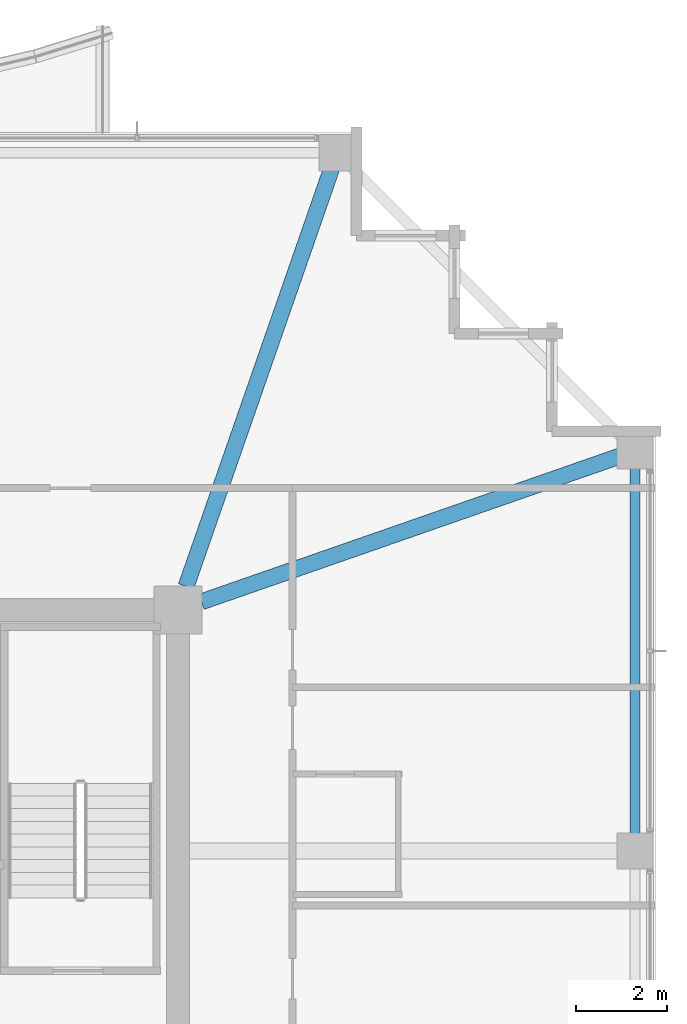
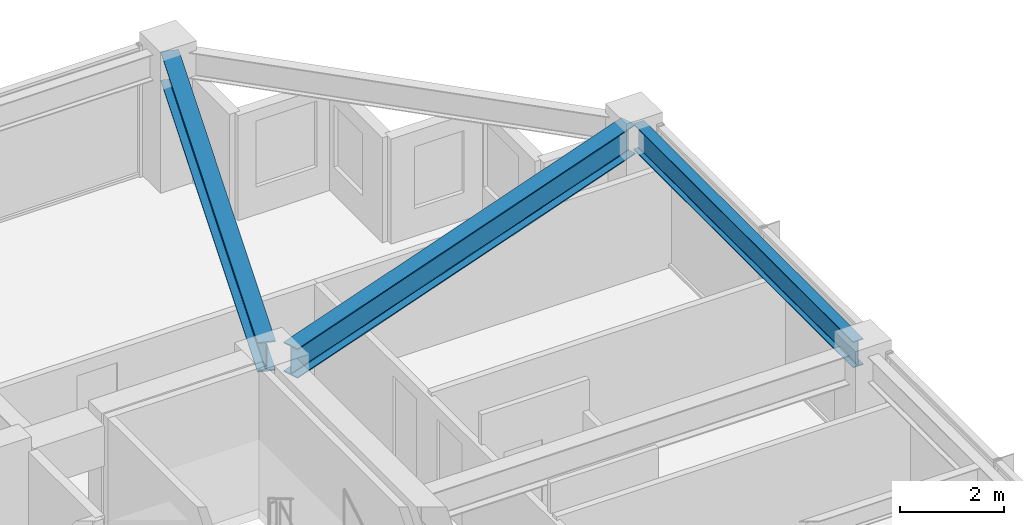
# One storey, part 20 of 36: 3 beams.
"""IFC4 building model written with IfcOpenShell, lengths in metres."""

from ifc_helpers import new_model, si_unit, direction, frame, origin, origin_2d, place, context, subcontext, project, spatial, i_section, extrude, material, material_profile, profile_set, type_object, element, save


model = new_model("IFC4")

# Units and contexts
model_context = context("Model", 3, precision=1e-05, world=origin(), true_north=direction((0.0, 1.0)))
body_context = subcontext(model_context, "Body", "Model", "MODEL_VIEW")
ifc_project = project(units=[si_unit("LENGTHUNIT", "METRE"), si_unit("AREAUNIT", "SQUARE_METRE"), si_unit("VOLUMEUNIT", "CUBIC_METRE"), si_unit("PLANEANGLEUNIT", "RADIAN"), si_unit("MASSUNIT", "GRAM", prefix="KILO")], contexts=[model_context])

# Site, building, storey
site_placement = place(None, origin())
site = spatial("IfcSite", under=ifc_project, at=site_placement, CompositionType="ELEMENT")
building_placement = place(site_placement, origin())
building = spatial("IfcBuilding", under=site, at=building_placement, Name="Kolvaren Belvedere", CompositionType="ELEMENT")
storey_placement = place(building_placement, frame((0.0, 0.0, 196.5)))
storey = spatial("IfcBuildingStorey", under=building, at=storey_placement, Name="L57", CompositionType="ELEMENT", Elevation=196.5)

# Beams
ifc_material_1 = material(Name="Structural steel ASTM A992 Grade 50", Category="steel")
ifc_material_profile_1 = material_profile(ifc_material_1, i_section(OverallWidth=0.35498046875, OverallDepth=0.696044921875, WebThickness=0.015380859375, FlangeThickness=0.02490234375, FilletRadius=0.02197265625, at=origin_2d()), Name="W27X146")
ifc_profile_set_1 = profile_set([ifc_material_profile_1], Name="Structural steel ASTM A992 Grade 50")
beam_type_1 = type_object("IfcBeamType", Name="BM-GIRD-W27X146", PredefinedType="BEAM", material=ifc_profile_set_1)
for number, where, z_axis, x_axis, name in (
    (1, (10.080810546875, 10.41943359375, 2.73193359375), (0.328898147971, 0.944365399758, 0.0), (-0.944365399758, 0.328898147971, 0.0), "L57 Corner Core-to-Perimeter Girder CC3-N4"),
    (2, (10.41943359375, 10.080810546875, 2.73193359375), (0.944365399758, 0.328898147971, 0.0), (-0.328898147971, 0.944365399758, 0.0), "L57 Corner Core-to-Perimeter Girder CC3-E4"),
):
    element("IfcBeam", number, at=place(storey_placement, frame(where, z_axis=z_axis, x_axis=x_axis)), inside=storey, type_object=beam_type_1, Name=name, PredefinedType="BEAM", context=body_context, shape_type="SweptSolid", body=[
        extrude(i_section(OverallWidth=0.35498046875, OverallDepth=0.696044921875, WebThickness=0.015380859375, FlangeThickness=0.02490234375, FilletRadius=0.02197265625, at=origin_2d()), origin(), (0.0, 0.0, 1.0), 9.931884765625),
    ])
ifc_material_2 = material(Name="Structural steel ASTM A992 Grade 50", Category="steel")
ifc_material_profile_2 = material_profile(ifc_material_2, i_section(OverallWidth=0.22900390625, OverallDepth=0.612060546875, WebThickness=0.011962890625, FlangeThickness=0.01953125, FilletRadius=0.01806640625, at=origin_2d()), Name="W24X84")
ifc_profile_set_2 = profile_set([ifc_material_profile_2], Name="Structural steel ASTM A992 Grade 50")
beam_type_2 = type_object("IfcBeamType", Name="BM-SPAN-W24X84", PredefinedType="SPANDREL", material=ifc_profile_set_2)
beam_placement = place(storey_placement, frame((19.949951171875, 4.780029296875, 2.77392578125), z_axis=(0.0, 1.0, 0.0), x_axis=(-1.0, 0.0, 0.0)))
element("IfcBeam", 3, at=beam_placement, inside=storey, type_object=beam_type_2, Name="L57 Perimeter Spandrel E3-E4", PredefinedType="SPANDREL", context=body_context, shape_type="SweptSolid", body=[
    extrude(i_section(OverallWidth=0.22900390625, OverallDepth=0.612060546875, WebThickness=0.011962890625, FlangeThickness=0.01953125, FilletRadius=0.01806640625, at=origin_2d()), origin(), (0.0, 0.0, 1.0), 8.43994140625),
])

save(model, "model.ifc")
